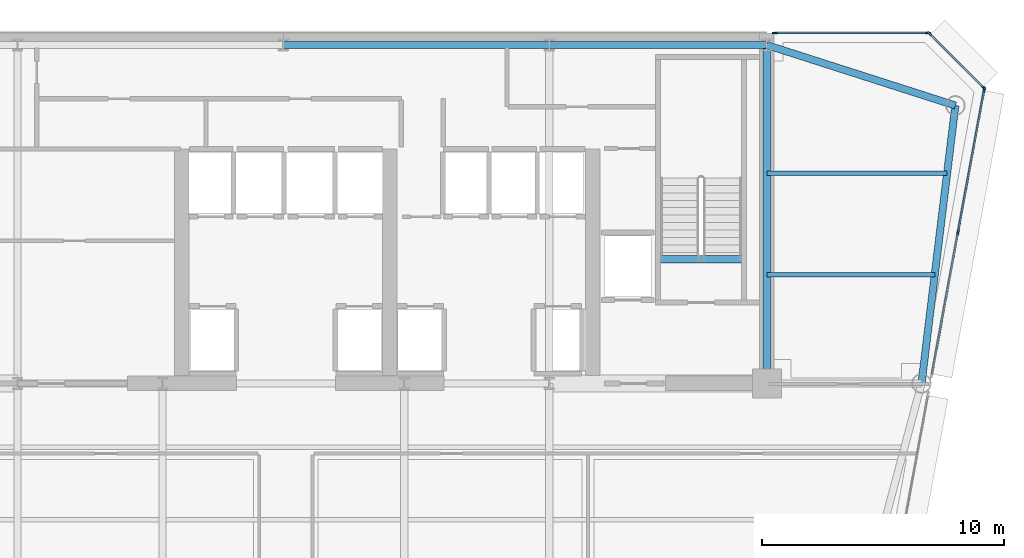
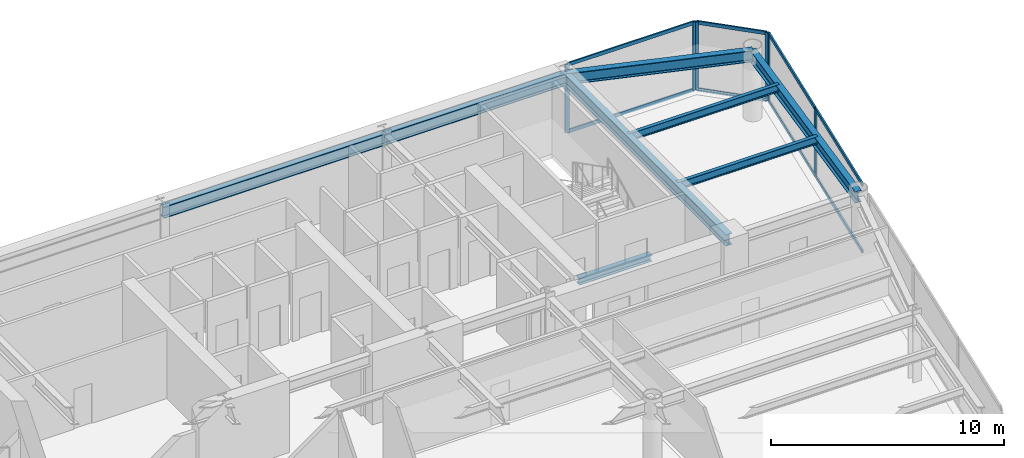
# One storey, part 7 of 15: 14 members, 8 beams, 3 elements without a shape of their own.
"""IFC4 building model written with IfcOpenShell, lengths in metres."""

from ifc_helpers import new_model, si_unit, direction, frame, origin, origin_2d, place, context, subcontext, project, spatial, rectangle, i_section, extrude, source, transform, mapped, material, layer, layer_set, material_profile, profile_set, type_object, element, aggregate, save


model = new_model("IFC4")

# Units and contexts
model_context = context("Model", 3, precision=1e-05, world=origin(), true_north=direction((0.0, 1.0)))
body_context = subcontext(model_context, "Body", "Model", "MODEL_VIEW")
ifc_project = project(units=[si_unit("LENGTHUNIT", "METRE"), si_unit("AREAUNIT", "SQUARE_METRE"), si_unit("VOLUMEUNIT", "CUBIC_METRE"), si_unit("PLANEANGLEUNIT", "RADIAN"), si_unit("MASSUNIT", "GRAM", prefix="KILO")], contexts=[model_context])

# Site, building, storey
site_placement = place(None, origin())
site = spatial("IfcSite", under=ifc_project, at=site_placement, CompositionType="ELEMENT")
building_placement = place(site_placement, origin())
building = spatial("IfcBuilding", under=site, at=building_placement, Name="Vaeldorn Concourse Tower", CompositionType="ELEMENT")
storey_placement = place(building_placement, frame((0.0, 0.0, 199.39990234375)))
storey = spatial("IfcBuildingStorey", under=building, at=storey_placement, Name="L51", CompositionType="ELEMENT", Elevation=199.39990234375)

# Beams
ifc_material_1 = material(Name="Steel S355", Category="steel")
ifc_material_profile_1 = material_profile(ifc_material_1, i_section(OverallWidth=0.300048828125, OverallDepth=0.340087890625, WebThickness=0.011962890625, FlangeThickness=0.021484375, FilletRadius=0.027099609375, at=origin_2d()), Name="HEB 340")
ifc_profile_set_1 = profile_set([ifc_material_profile_1], Name="Steel S355")
beam_type_1 = type_object("IfcBeamType", Name="BM-ST-TRIM", PredefinedType="BEAM", material=ifc_profile_set_1)
shared_shape_1 = source(origin(), body_context, "Body", "SweptSolid", [
    extrude(i_section(OverallWidth=0.300048828125, OverallDepth=0.340087890625, WebThickness=0.011962890625, FlangeThickness=0.021484375, FilletRadius=0.027099609375, at=origin_2d()), origin(), (0.0, 0.0, 1.0), 3.590087890625),
])
beam_1_placement = place(storey_placement, frame((49.47998046875, 41.639892578125, -0.389892578125), z_axis=(1.0, 0.0, 0.0), x_axis=(0.0, 1.0, 0.0)))
element("IfcBeam", 1, at=beam_1_placement, inside=storey, type_object=beam_type_1, Name="Stair Landing Trimmer Beam ST-2 L51", PredefinedType="BEAM", context=body_context, shape_type="MappedRepresentation", body=[
    mapped(shared_shape_1, transform((0.0, 0.0, 0.0), scale=1.0)),
])
ifc_material_profile_2 = material_profile(ifc_material_1, i_section(OverallWidth=0.300048828125, OverallDepth=0.60009765625, WebThickness=0.015380859375, FlangeThickness=0.030029296875, FilletRadius=0.027099609375, at=origin_2d()), Name="HEB 600")
ifc_profile_set_2 = profile_set([ifc_material_profile_2], Name="Steel S355")
beam_type_2 = type_object("IfcBeamType", Name="BM-PG-HEB600", PredefinedType="BEAM", material=ifc_profile_set_2)
shared_shape_2 = source(origin(), body_context, "Body", "SweptSolid", [
    extrude(i_section(OverallWidth=0.300048828125, OverallDepth=0.60009765625, WebThickness=0.015380859375, FlangeThickness=0.030029296875, FilletRadius=0.027099609375, at=origin_2d()), origin(), (0.0, 0.0, 1.0), 9.0),
])
beam_2_placement = place(storey_placement, frame((45.0, 50.5, 3.280029296875), z_axis=(1.0, 0.0, 0.0), x_axis=(0.0, 1.0, 0.0)))
element("IfcBeam", 2, at=beam_2_placement, inside=storey, type_object=beam_type_2, Name="Beam BM-L51-C-HC4-C-HC5", PredefinedType="BEAM", context=body_context, shape_type="MappedRepresentation", body=[
    mapped(shared_shape_2, transform((0.0, 0.0, 0.0), scale=1.0)),
])
shared_shape_3 = source(origin(), body_context, "Body", "SweptSolid", [
    extrude(i_section(OverallWidth=0.300048828125, OverallDepth=0.60009765625, WebThickness=0.015380859375, FlangeThickness=0.030029296875, FilletRadius=0.027099609375, at=origin_2d()), origin(), (0.0, 0.0, 1.0), 11.0),
])
beam_3_placement = place(storey_placement, frame((34.0, 50.5, 3.280029296875), z_axis=(1.0, 0.0, 0.0), x_axis=(0.0, 1.0, 0.0)))
element("IfcBeam", 3, at=beam_3_placement, inside=storey, type_object=beam_type_2, Name="Beam BM-L51-C-HC3-C-HC4", PredefinedType="BEAM", context=body_context, shape_type="MappedRepresentation", body=[
    mapped(shared_shape_3, transform((0.0, 0.0, 0.0), scale=1.0)),
])
shared_shape_4 = source(origin(), body_context, "Body", "SweptSolid", [
    extrude(i_section(OverallWidth=0.300048828125, OverallDepth=0.60009765625, WebThickness=0.015380859375, FlangeThickness=0.030029296875, FilletRadius=0.027099609375, at=origin_2d()), origin(), (0.0, 0.0, 1.0), 14.0),
])
beam_4_placement = place(storey_placement, frame((54.0, 36.5, 3.280029296875), z_axis=(0.0, 1.0, 0.0), x_axis=(-1.0, 0.0, 0.0)))
element("IfcBeam", 4, at=beam_4_placement, inside=storey, type_object=beam_type_2, Name="Beam BM-L51-C-FC6-C-HC5", PredefinedType="BEAM", context=body_context, shape_type="MappedRepresentation", body=[
    mapped(shared_shape_4, transform((0.0, 0.0, 0.0), scale=1.0)),
])
shared_shape_5 = source(origin(), body_context, "Body", "SweptSolid", [
    extrude(i_section(OverallWidth=0.300048828125, OverallDepth=0.60009765625, WebThickness=0.015380859375, FlangeThickness=0.030029296875, FilletRadius=0.027099609375, at=origin_2d()), origin(), (0.0, 0.0, 1.0), 8.19091796875),
])
beam_5_placement = place(storey_placement, frame((54.0, 50.5, 3.280029296875), z_axis=(0.952282843383, -0.305216949396, 0.0), x_axis=(0.305216949396, 0.952282843383, 0.0)))
element("IfcBeam", 5, at=beam_5_placement, inside=storey, type_object=beam_type_2, Name="Beam BM-L51-C-HC5-C-NE1", PredefinedType="BEAM", context=body_context, shape_type="MappedRepresentation", body=[
    mapped(shared_shape_5, transform((0.0, 0.0, 0.0), scale=1.0)),
])
shared_shape_6 = source(origin(), body_context, "Body", "SweptSolid", [
    extrude(i_section(OverallWidth=0.300048828125, OverallDepth=0.60009765625, WebThickness=0.015380859375, FlangeThickness=0.030029296875, FilletRadius=0.027099609375, at=origin_2d()), origin(), (0.0, 0.0, 1.0), 11.5849609375),
])
beam_6_placement = place(storey_placement, frame((61.800048828125, 48.0, 3.280029296875), z_axis=(-0.120859382899, -0.992669637677, 0.0), x_axis=(0.992669637677, -0.120859382899, 0.0)))
element("IfcBeam", 6, at=beam_6_placement, inside=storey, type_object=beam_type_2, Name="Beam BM-L51-C-NE1-C-NE2", PredefinedType="BEAM", context=body_context, shape_type="MappedRepresentation", body=[
    mapped(shared_shape_6, transform((0.0, 0.0, 0.0), scale=1.0)),
])
ifc_material_profile_3 = material_profile(ifc_material_1, i_section(OverallWidth=0.179931640625, OverallDepth=0.39990234375, WebThickness=0.008544921875, FlangeThickness=0.013427734375, FilletRadius=0.02099609375, at=origin_2d()), Name="IPE 400")
ifc_profile_set_3 = profile_set([ifc_material_profile_3], Name="Steel S355")
beam_type_3 = type_object("IfcBeamType", Name="BM-JS-IPE400", PredefinedType="JOIST", material=ifc_profile_set_3)
shared_shape_7 = source(origin(), body_context, "Body", "SweptSolid", [
    extrude(i_section(OverallWidth=0.179931640625, OverallDepth=0.39990234375, WebThickness=0.008544921875, FlangeThickness=0.013427734375, FilletRadius=0.02099609375, at=origin_2d()), origin(), (0.0, 0.0, 1.0), 6.94775390625),
])
beam_7_placement = place(storey_placement, frame((54.0, 41.0, 3.380126953125), z_axis=(1.0, 0.0, 0.0), x_axis=(0.0, 1.0, 0.0)))
element("IfcBeam", 7, at=beam_7_placement, inside=storey, type_object=beam_type_3, Name="Beam JS-L51-NE-410", PredefinedType="JOIST", context=body_context, shape_type="MappedRepresentation", body=[
    mapped(shared_shape_7, transform((0.0, 0.0, 0.0), scale=1.0)),
])
shared_shape_8 = source(origin(), body_context, "Body", "SweptSolid", [
    extrude(i_section(OverallWidth=0.179931640625, OverallDepth=0.39990234375, WebThickness=0.008544921875, FlangeThickness=0.013427734375, FilletRadius=0.02099609375, at=origin_2d()), origin(), (0.0, 0.0, 1.0), 7.458984375),
])
beam_8_placement = place(storey_placement, frame((54.0, 45.199951171875, 3.380126953125), z_axis=(1.0, 0.0, 0.0), x_axis=(0.0, 1.0, 0.0)))
element("IfcBeam", 8, at=beam_8_placement, inside=storey, type_object=beam_type_3, Name="Beam JS-L51-NE-452", PredefinedType="JOIST", context=body_context, shape_type="MappedRepresentation", body=[
    mapped(shared_shape_8, transform((0.0, 0.0, 0.0), scale=1.0)),
])

# Curtain wall, members
ifc_material_2 = material(Name="Anodised Bronze Aluminium", Category="aluminium")
ifc_layer = layer(ifc_material_2, 0.2099609375)
ifc_layer_set = layer_set([ifc_layer], Name="Anodised Bronze Aluminium")
curtain_wall_type = type_object("IfcCurtainWallType", Name="CW-SYS-06", PredefinedType="NOTDEFINED", material=ifc_layer_set)
curtain_wall_1_placement = place(storey_placement, origin())
curtain_wall_1 = element("IfcCurtainWall", 9, at=curtain_wall_1_placement, inside=storey, type_object=curtain_wall_type, Name="Unitised Curtain Wall CW-L51-E08-1", PredefinedType="NOTDEFINED")
ifc_material_profile_4 = material_profile(ifc_material_2, rectangle(XDim=0.074951171875, YDim=0.179931640625, at=origin_2d()), Name="CWT 75x180")
ifc_profile_set_4 = profile_set([ifc_material_profile_4], Name="Anodised Bronze Aluminium")
member_type_1 = type_object("IfcMemberType", Name="CWT-BRONZE-180", PredefinedType="USERDEFINED", material=ifc_profile_set_4)
shared_shape_9 = source(origin(), body_context, "Body", "SweptSolid", [
    extrude(rectangle(XDim=0.074951171875, YDim=0.179931640625, at=origin_2d()), origin(), (0.0, 0.0, 1.0), 3.10302734375),
])
member_1_placement = place(storey_placement, frame((62.947021484375, 48.7529296875, 0.03759765625), z_axis=(-0.707106781187, 0.707106781187, 0.0), x_axis=(-0.707106781187, -0.707106781187, 0.0)))
member_1 = element("IfcMember", 10, at=member_1_placement, type_object=member_type_1, Name="CW-06 transom 1.1", ObjectType="TRANSOM", PredefinedType="USERDEFINED", context=body_context, shape_type="MappedRepresentation", body=[
    mapped(shared_shape_9, transform((0.0, 0.0, 0.0), scale=1.0)),
])
member_2_placement = place(storey_placement, frame((62.947021484375, 48.7529296875, 3.54248046875), z_axis=(-0.707106781187, 0.707106781187, 0.0), x_axis=(-0.707106781187, -0.707106781187, 0.0)))
member_2 = element("IfcMember", 11, at=member_2_placement, type_object=member_type_1, Name="CW-06 transom 1.2", ObjectType="TRANSOM", PredefinedType="USERDEFINED", context=body_context, shape_type="MappedRepresentation", body=[
    mapped(shared_shape_9, transform((0.0, 0.0, 0.0), scale=1.0)),
])

curtain_wall_2_placement = place(storey_placement, origin())
curtain_wall_2 = element("IfcCurtainWall", 12, at=curtain_wall_2_placement, inside=storey, type_object=curtain_wall_type, Name="Unitised Curtain Wall CW-L51-E07-2", PredefinedType="NOTDEFINED")
ifc_material_profile_5 = material_profile(ifc_material_2, rectangle(XDim=0.074951171875, YDim=0.219970703125, at=origin_2d()), Name="CWM 75x220")
ifc_profile_set_5 = profile_set([ifc_material_profile_5], Name="Anodised Bronze Aluminium")
member_type_2 = type_object("IfcMemberType", Name="CWM-BRONZE-220", PredefinedType="MULLION", material=ifc_profile_set_5)
shared_shape_10 = source(origin(), body_context, "Body", "SweptSolid", [
    extrude(rectangle(XDim=0.074951171875, YDim=0.219970703125, at=origin_2d()), origin(), (0.0, 0.0, 1.0), 3.580078125),
])
member_3_placement = place(storey_placement, frame((61.908203125, 42.753662109375, 0.0), z_axis=(0.0, 0.0, 1.0), x_axis=(-0.983559459619, 0.180584576845, 0.0)))
member_3 = element("IfcMember", 13, at=member_3_placement, type_object=member_type_2, Name="CW-06 mullion 2", PredefinedType="MULLION", context=body_context, shape_type="MappedRepresentation", body=[
    mapped(shared_shape_10, transform((0.0, 0.0, 0.0), scale=1.0)),
])
member_4_placement = place(storey_placement, frame((62.9931640625, 48.6630859375, 0.0), z_axis=(0.0, 0.0, 1.0), x_axis=(-0.983559459619, 0.180584576845, 0.0)))
member_4 = element("IfcMember", 14, at=member_4_placement, type_object=member_type_2, Name="CW-06 mullion 3", PredefinedType="MULLION", context=body_context, shape_type="MappedRepresentation", body=[
    mapped(shared_shape_10, transform((0.0, 0.0, 0.0), scale=1.0)),
])

# Member
member_5_placement = place(storey_placement, frame((62.973388671875, 48.7265625, 0.0), z_axis=(0.0, 0.0, 1.0), x_axis=(-0.707106781187, -0.707106781187, 0.0)))
member_5 = element("IfcMember", 15, at=member_5_placement, type_object=member_type_2, Name="CW-06 mullion 1", PredefinedType="MULLION", context=body_context, shape_type="MappedRepresentation", body=[
    mapped(shared_shape_10, transform((0.0, 0.0, 0.0), scale=1.0)),
])

member_6_placement = place(storey_placement, frame((60.7265625, 50.973388671875, 0.0), z_axis=(0.0, 0.0, 1.0), x_axis=(-0.707106781187, -0.707106781187, 0.0)))
member_6 = element("IfcMember", 16, at=member_6_placement, type_object=member_type_2, Name="CW-06 mullion 2", PredefinedType="MULLION", context=body_context, shape_type="MappedRepresentation", body=[
    mapped(shared_shape_10, transform((0.0, 0.0, 0.0), scale=1.0)),
])

aggregate(curtain_wall_1, [member_5, member_6, member_1, member_2])

# Curtain wall, members
curtain_wall_3_placement = place(storey_placement, origin())
curtain_wall_3 = element("IfcCurtainWall", 17, at=curtain_wall_3_placement, inside=storey, type_object=curtain_wall_type, Name="Unitised Curtain Wall CW-L51-E09-1", PredefinedType="NOTDEFINED")
member_7_placement = place(storey_placement, frame((60.66259765625, 51.0, 0.0), z_axis=(0.0, 0.0, 1.0), x_axis=(0.0, -1.0, 0.0)))
member_7 = element("IfcMember", 18, at=member_7_placement, type_object=member_type_2, Name="CW-06 mullion 1", PredefinedType="MULLION", context=body_context, shape_type="MappedRepresentation", body=[
    mapped(shared_shape_10, transform((0.0, 0.0, 0.0), scale=1.0)),
])
member_8_placement = place(storey_placement, frame((54.33251953125, 51.0, 0.0), z_axis=(0.0, 0.0, 1.0), x_axis=(0.0, -1.0, 0.0)))
member_8 = element("IfcMember", 19, at=member_8_placement, type_object=member_type_2, Name="CW-06 mullion 2", PredefinedType="MULLION", context=body_context, shape_type="MappedRepresentation", body=[
    mapped(shared_shape_10, transform((0.0, 0.0, 0.0), scale=1.0)),
])

# Member
shared_shape_11 = source(origin(), body_context, "Body", "SweptSolid", [
    extrude(rectangle(XDim=0.074951171875, YDim=0.179931640625, at=origin_2d()), origin(), (0.0, 0.0, 1.0), 5.932861328125),
])
member_9_placement = place(storey_placement, frame((60.830078125, 36.88134765625, 0.03759765625), z_axis=(0.180565406759, 0.983562979113, 0.0), x_axis=(-0.983562979113, 0.180565406759, 0.0)))
member_9 = element("IfcMember", 20, at=member_9_placement, type_object=member_type_1, Name="CW-06 transom 1.1", ObjectType="TRANSOM", PredefinedType="USERDEFINED", context=body_context, shape_type="MappedRepresentation", body=[
    mapped(shared_shape_11, transform((0.0, 0.0, 0.0), scale=1.0)),
])

member_10_placement = place(storey_placement, frame((60.830078125, 36.88134765625, 3.54248046875), z_axis=(0.180565406759, 0.983562979113, 0.0), x_axis=(-0.983562979113, 0.180565406759, 0.0)))
member_10 = element("IfcMember", 21, at=member_10_placement, type_object=member_type_1, Name="CW-06 transom 1.2", ObjectType="TRANSOM", PredefinedType="USERDEFINED", context=body_context, shape_type="MappedRepresentation", body=[
    mapped(shared_shape_11, transform((0.0, 0.0, 0.0), scale=1.0)),
])

shared_shape_12 = source(origin(), body_context, "Body", "SweptSolid", [
    extrude(rectangle(XDim=0.074951171875, YDim=0.179931640625, at=origin_2d()), origin(), (0.0, 0.0, 1.0), 5.933349609375),
])
member_11_placement = place(storey_placement, frame((61.9150390625, 42.79052734375, 0.03759765625), z_axis=(0.180597905177, 0.983557012402, 0.0), x_axis=(-0.983557012402, 0.180597905177, 0.0)))
member_11 = element("IfcMember", 22, at=member_11_placement, type_object=member_type_1, Name="CW-06 transom 2.1", ObjectType="TRANSOM", PredefinedType="USERDEFINED", context=body_context, shape_type="MappedRepresentation", body=[
    mapped(shared_shape_12, transform((0.0, 0.0, 0.0), scale=1.0)),
])

member_12_placement = place(storey_placement, frame((61.9150390625, 42.79052734375, 3.54248046875), z_axis=(0.180597905177, 0.983557012402, 0.0), x_axis=(-0.983557012402, 0.180597905177, 0.0)))
member_12 = element("IfcMember", 23, at=member_12_placement, type_object=member_type_1, Name="CW-06 transom 2.2", ObjectType="TRANSOM", PredefinedType="USERDEFINED", context=body_context, shape_type="MappedRepresentation", body=[
    mapped(shared_shape_12, transform((0.0, 0.0, 0.0), scale=1.0)),
])

aggregate(curtain_wall_2, [member_3, member_4, member_9, member_10, member_11, member_12])

shared_shape_13 = source(origin(), body_context, "Body", "SweptSolid", [
    extrude(rectangle(XDim=0.074951171875, YDim=0.179931640625, at=origin_2d()), origin(), (0.0, 0.0, 1.0), 6.2548828125),
])
member_13_placement = place(storey_placement, frame((60.625, 51.0, 0.03759765625), z_axis=(-1.0, 0.0, 0.0), x_axis=(0.0, -1.0, 0.0)))
member_13 = element("IfcMember", 24, at=member_13_placement, type_object=member_type_1, Name="CW-06 transom 1.1", ObjectType="TRANSOM", PredefinedType="USERDEFINED", context=body_context, shape_type="MappedRepresentation", body=[
    mapped(shared_shape_13, transform((0.0, 0.0, 0.0), scale=1.0)),
])

member_14_placement = place(storey_placement, frame((60.625, 51.0, 3.54248046875), z_axis=(-1.0, 0.0, 0.0), x_axis=(0.0, -1.0, 0.0)))
member_14 = element("IfcMember", 25, at=member_14_placement, type_object=member_type_1, Name="CW-06 transom 1.2", ObjectType="TRANSOM", PredefinedType="USERDEFINED", context=body_context, shape_type="MappedRepresentation", body=[
    mapped(shared_shape_13, transform((0.0, 0.0, 0.0), scale=1.0)),
])

aggregate(curtain_wall_3, [member_7, member_8, member_13, member_14])

save(model, "model.ifc")
